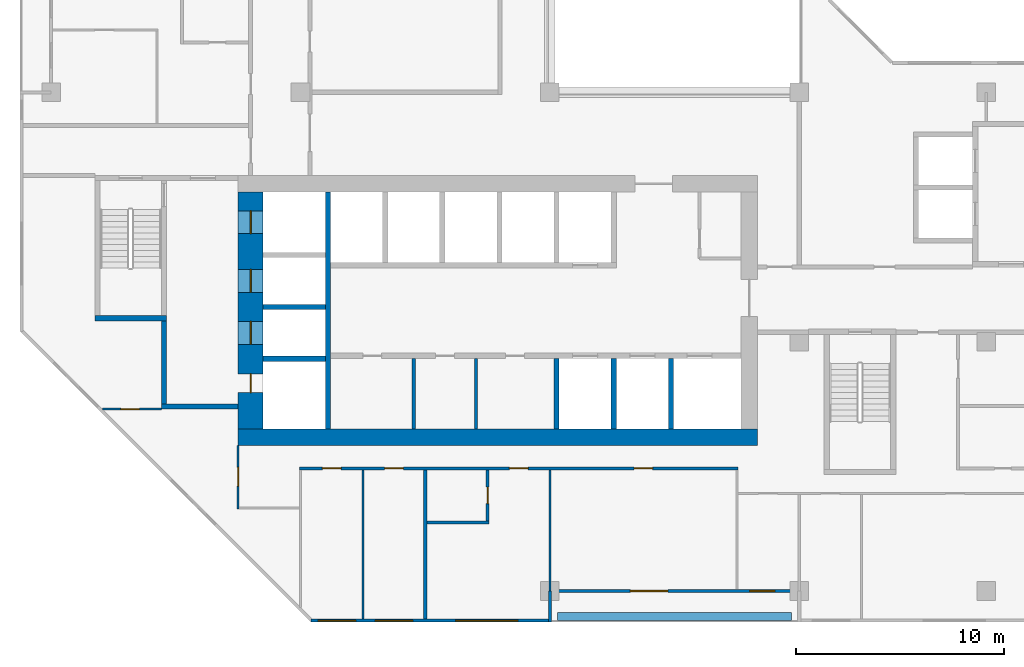
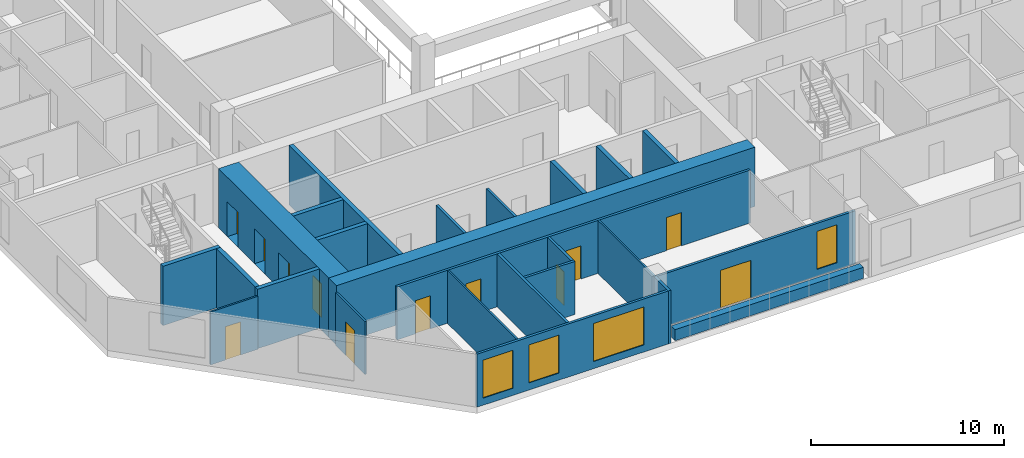
# One storey, part 4 of 15: 25 walls, 12 doors, 4 windows, 16 openings.
"""IFC4 building model written with IfcOpenShell, lengths in metres."""

from ifc_helpers import new_model, si_unit, direction, frame, frame_2d, origin, place, context, subcontext, project, spatial, rectangle, extrude, material, layer, layer_set, type_object, element, fill, save


model = new_model("IFC4")

# Units and contexts
model_context = context("Model", 3, precision=1e-05, world=origin(), true_north=direction((0.0, 1.0)))
body_context = subcontext(model_context, "Body", "Model", "MODEL_VIEW")
ifc_project = project(units=[si_unit("LENGTHUNIT", "METRE"), si_unit("AREAUNIT", "SQUARE_METRE"), si_unit("VOLUMEUNIT", "CUBIC_METRE"), si_unit("PLANEANGLEUNIT", "RADIAN"), si_unit("MASSUNIT", "GRAM", prefix="KILO")], contexts=[model_context])

# Site, building, storey
site_placement = place(None, origin())
site = spatial("IfcSite", under=ifc_project, at=site_placement, CompositionType="ELEMENT")
building_placement = place(site_placement, origin())
building = spatial("IfcBuilding", under=site, at=building_placement, Name="Chenar Terraces", CompositionType="ELEMENT")
storey_placement = place(building_placement, frame((0.0, 0.0, 176.14990234375)))
storey = spatial("IfcBuildingStorey", under=building, at=storey_placement, Name="L40", CompositionType="ELEMENT", Elevation=176.14990234375)

# Walls
ifc_material_1 = material(Name="Gypsum board on steel studs", Category="steel")
ifc_layer_1 = layer(ifc_material_1, 0.14990234375)
ifc_layer_set_1 = layer_set([ifc_layer_1], Name="Gypsum board on steel studs")
wall_type_1 = type_object("IfcWallType", Name="Core partition 150 gypsum board", PredefinedType="PARTITIONING", material=ifc_layer_set_1)
for number, where, z_axis, x_axis, name in (
    (1, (17.449951171875, 7.800048828125, 0.0), (0.0, 0.0, 1.0), (0.0, 1.0, 0.0), "Core partition CP1 freed bay wall"),
    (2, (20.449951171875, 7.800048828125, 0.0), (0.0, 0.0, 1.0), (0.0, 1.0, 0.0), "Core partition CP1 freed bay wall"),
):
    element("IfcWall", number, at=place(storey_placement, frame(where, z_axis=z_axis, x_axis=x_axis)), inside=storey, type_object=wall_type_1, Name=name, PredefinedType="PARTITIONING", context=body_context, shape_type="SweptSolid", body=[
        extrude(rectangle(XDim=3.39990234375, YDim=0.14990234375, at=frame_2d((1.699951171875, 0.0))), origin(), (0.0, 0.0, 1.0), 3.35009765625),
    ])

# Wall, openings, doors
ifc_material_2 = material(Name="Concrete C60/75", Category="concrete")
ifc_layer_2 = layer(ifc_material_2, 1.199951171875)
ifc_layer_set_2 = layer_set([ifc_layer_2], Name="Concrete C60/75")
wall_type_2 = type_object("IfcWallType", Name="Core wall 1200 Concrete C60/75", PredefinedType="SHEAR", material=ifc_layer_set_2)
wall_1_placement = place(storey_placement, frame((9.60009765625, 7.800048828125, 0.0), z_axis=(0.0, 0.0, 1.0), x_axis=(0.0, 1.0, 0.0)))
wall_1 = element("IfcWall", 3, at=wall_1_placement, inside=storey, type_object=wall_type_2, Name="Core wall W L40", PredefinedType="SHEAR", context=body_context, shape_type="SweptSolid", body=[
    extrude(rectangle(XDim=11.39990234375, YDim=1.199951171875, at=frame_2d((5.699951171875, 0.0))), origin(), (0.0, 0.0, 1.0), 3.75),
])
opening_1_placement = place(wall_1_placement, frame((4.074951171875, 0.0, 0.0)))
opening_1 = element("IfcOpeningElement", 4, at=opening_1_placement, cuts=wall_1, Name="Opening DL40-LD5", PredefinedType="OPENING", context=body_context, shape_type="SweptSolid", body=[
    extrude(rectangle(XDim=1.10009765625, YDim=2.199951171875, at=frame_2d((0.550048828125, 1.10009765625))), frame((0.0, 0.60986328125, 0.0), z_axis=(0.0, -1.0, 0.0), x_axis=(1.0, 0.0, 0.0)), (0.0, 0.0, 1.0), 1.219970703125),
])
opening_2_placement = place(wall_1_placement, frame((6.574951171875, 0.0, 0.0)))
opening_2 = element("IfcOpeningElement", 5, at=opening_2_placement, cuts=wall_1, Name="Opening DL40-LD6", PredefinedType="OPENING", context=body_context, shape_type="SweptSolid", body=[
    extrude(rectangle(XDim=1.10009765625, YDim=2.199951171875, at=frame_2d((0.550048828125, 1.10009765625))), frame((0.0, 0.60986328125, 0.0), z_axis=(0.0, -1.0, 0.0), x_axis=(1.0, 0.0, 0.0)), (0.0, 0.0, 1.0), 1.219970703125),
])
opening_3_placement = place(wall_1_placement, frame((9.39990234375, 0.0, 0.0)))
opening_3 = element("IfcOpeningElement", 6, at=opening_3_placement, cuts=wall_1, Name="Opening DL40-LD7", PredefinedType="OPENING", context=body_context, shape_type="SweptSolid", body=[
    extrude(rectangle(XDim=1.10009765625, YDim=2.199951171875, at=frame_2d((0.550048828125, 1.10009765625))), frame((0.0, 0.60986328125, 0.0), z_axis=(0.0, -1.0, 0.0), x_axis=(1.0, 0.0, 0.0)), (0.0, 0.0, 1.0), 1.219970703125),
])
opening_4_placement = place(wall_1_placement, frame((1.75, 0.0, 0.0)))
opening_4 = element("IfcOpeningElement", 7, at=opening_4_placement, cuts=wall_1, Name="Opening DL40-C4", PredefinedType="OPENING", context=body_context, shape_type="SweptSolid", body=[
    extrude(rectangle(XDim=0.89990234375, YDim=2.10009765625, at=frame_2d((0.449951171875, 1.050048828125))), frame((0.0, 0.60986328125, 0.0), z_axis=(0.0, -1.0, 0.0), x_axis=(1.0, 0.0, 0.0)), (0.0, 0.0, 1.0), 1.219970703125),
])
ifc_material_3 = material(Name="Stainless steel", Category="steel")
door_type_1 = type_object("IfcDoorType", Name="Lift landing door 1100 x 2200 sliding", OperationType="DOUBLE_DOOR_SLIDING", PredefinedType="DOOR", material=ifc_material_3)
door_1_placement = place(opening_1_placement, origin())
door_1 = element("IfcDoor", 8, at=door_1_placement, inside=storey, type_object=door_type_1, Name="Landing door S1", OperationType="DOUBLE_DOOR_SLIDING", OverallHeight=2.199951171875, OverallWidth=1.10009765625, PredefinedType="DOOR", context=body_context, shape_type="SweptSolid", body=[
    extrude(rectangle(XDim=1.10009765625, YDim=2.199951171875, at=frame_2d((0.550048828125, 1.10009765625))), frame((0.0, 0.02490234375, 0.0), z_axis=(0.0, -1.0, 0.0), x_axis=(1.0, 0.0, 0.0)), (0.0, 0.0, 1.0), 0.050048828125),
])
fill(opening_1, door_1)
door_2_placement = place(opening_2_placement, origin())
door_2 = element("IfcDoor", 9, at=door_2_placement, inside=storey, type_object=door_type_1, Name="Landing door F1", OperationType="DOUBLE_DOOR_SLIDING", OverallHeight=2.199951171875, OverallWidth=1.10009765625, PredefinedType="DOOR", context=body_context, shape_type="SweptSolid", body=[
    extrude(rectangle(XDim=1.10009765625, YDim=2.199951171875, at=frame_2d((0.550048828125, 1.10009765625))), frame((0.0, 0.02490234375, 0.0), z_axis=(0.0, -1.0, 0.0), x_axis=(1.0, 0.0, 0.0)), (0.0, 0.0, 1.0), 0.050048828125),
])
fill(opening_2, door_2)
door_3_placement = place(opening_3_placement, origin())
door_3 = element("IfcDoor", 10, at=door_3_placement, inside=storey, type_object=door_type_1, Name="Landing door F2", OperationType="DOUBLE_DOOR_SLIDING", OverallHeight=2.199951171875, OverallWidth=1.10009765625, PredefinedType="DOOR", context=body_context, shape_type="SweptSolid", body=[
    extrude(rectangle(XDim=1.10009765625, YDim=2.199951171875, at=frame_2d((0.550048828125, 1.10009765625))), frame((0.0, 0.02490234375, 0.0), z_axis=(0.0, -1.0, 0.0), x_axis=(1.0, 0.0, 0.0)), (0.0, 0.0, 1.0), 0.050048828125),
])
fill(opening_3, door_3)
ifc_material_4 = material(Name="Steel-framed fire-resisting door leaf", Category="steel")
door_type_2 = type_object("IfcDoorType", Name="Riser fire door FD60 900 x 2100", OperationType="SINGLE_SWING_LEFT", PredefinedType="DOOR", material=ifc_material_4)
door_4_placement = place(opening_4_placement, frame((0.89990234375, 0.0, 0.0), z_axis=(0.0, 0.0, 1.0), x_axis=(-1.0, 0.0, 0.0)))
door_4 = element("IfcDoor", 11, at=door_4_placement, inside=storey, type_object=door_type_2, Name="Riser door DL40-C4", OperationType="SINGLE_SWING_LEFT", OverallHeight=2.10009765625, OverallWidth=0.89990234375, PredefinedType="DOOR", context=body_context, shape_type="SweptSolid", body=[
    extrude(rectangle(XDim=0.89990234375, YDim=2.10009765625, at=frame_2d((0.449951171875, 1.050048828125))), frame((0.0, 0.02490234375, 0.0), z_axis=(0.0, -1.0, 0.0), x_axis=(1.0, 0.0, 0.0)), (0.0, 0.0, 1.0), 0.050048828125),
])
fill(opening_4, door_4)

# Walls
ifc_material_5 = material(Name="Concrete C60/75", Category="concrete")
ifc_layer_3 = layer(ifc_material_5, 0.25)
ifc_layer_set_3 = layer_set([ifc_layer_3], Name="Concrete C60/75")
wall_type_3 = type_object("IfcWallType", Name="Core wall 250 Concrete C60/75", PredefinedType="SHEAR", material=ifc_layer_set_3)
wall_2_placement = place(storey_placement, frame((13.324951171875, 7.800048828125, 0.0), z_axis=(0.0, 0.0, 1.0), x_axis=(0.0, 1.0, 0.0)))
element("IfcWall", 12, at=wall_2_placement, inside=storey, type_object=wall_type_3, Name="Core wall WI L40", PredefinedType="SHEAR", context=body_context, shape_type="SweptSolid", body=[
    extrude(rectangle(XDim=11.39990234375, YDim=0.25, at=frame_2d((5.699951171875, 0.0))), origin(), (0.0, 0.0, 1.0), 3.75),
])
for number, where, z_axis, x_axis, name in (
    (13, (10.199951171875, 11.175048828125, 0.0), (0.0, 0.0, 1.0), (1.0, 0.0, 0.0), "Core wall HW0 L40"),
    (14, (10.199951171875, 13.675048828125, 0.0), (0.0, 0.0, 1.0), (1.0, 0.0, 0.0), "Core wall HW1 L40"),
):
    element("IfcWall", number, at=place(storey_placement, frame(where, z_axis=z_axis, x_axis=x_axis)), inside=storey, type_object=wall_type_3, Name=name, PredefinedType="SHEAR", context=body_context, shape_type="SweptSolid", body=[
        extrude(rectangle(XDim=3.0, YDim=0.25, at=frame_2d((1.5, 0.0))), origin(), (0.0, 0.0, 1.0), 3.75),
    ])
for number, where, z_axis, x_axis, name in (
    (15, (24.324951171875, 7.800048828125, 0.0), (0.0, 0.0, 1.0), (0.0, 1.0, 0.0), "Core wall SS3 L40"),
    (16, (27.074951171875, 7.800048828125, 0.0), (0.0, 0.0, 1.0), (0.0, 1.0, 0.0), "Core wall SS4 L40"),
    (17, (29.824951171875, 7.800048828125, 0.0), (0.0, 0.0, 1.0), (0.0, 1.0, 0.0), "Core wall SS5 L40"),
):
    element("IfcWall", number, at=place(storey_placement, frame(where, z_axis=z_axis, x_axis=x_axis)), inside=storey, type_object=wall_type_3, Name=name, PredefinedType="SHEAR", context=body_context, shape_type="SweptSolid", body=[
        extrude(rectangle(XDim=3.39990234375, YDim=0.25, at=frame_2d((1.699951171875, 0.0))), origin(), (0.0, 0.0, 1.0), 3.75),
    ])
wall_3_placement = place(storey_placement, frame((2.10009765625, 13.125, 0.0), z_axis=(0.0, 0.0, 1.0), x_axis=(1.0, 0.0, 0.0)))
element("IfcWall", 18, at=wall_3_placement, inside=storey, type_object=wall_type_3, Name="Core wall ST1_S L40", PredefinedType="SHEAR", context=body_context, shape_type="SweptSolid", body=[
    extrude(rectangle(XDim=3.449951171875, YDim=0.25, at=frame_2d((1.72509765625, 0.0))), origin(), (0.0, 0.0, 1.0), 3.75),
])
wall_4_placement = place(storey_placement, frame((5.300048828125, 8.875, 0.0), z_axis=(0.0, 0.0, 1.0), x_axis=(1.0, 0.0, 0.0)))
element("IfcWall", 19, at=wall_4_placement, inside=storey, type_object=wall_type_3, Name="Core wall FFL_S L40", PredefinedType="SHEAR", context=body_context, shape_type="SweptSolid", body=[
    extrude(rectangle(XDim=3.699951171875, YDim=0.25, at=frame_2d((1.85009765625, 0.0))), origin(), (0.0, 0.0, 1.0), 3.75),
])
wall_5_placement = place(storey_placement, frame((5.425048828125, 9.0, 0.0), z_axis=(0.0, 0.0, 1.0), x_axis=(0.0, 1.0, 0.0)))
element("IfcWall", 20, at=wall_5_placement, inside=storey, type_object=wall_type_3, Name="Core wall FFL_W L40", PredefinedType="SHEAR", context=body_context, shape_type="SweptSolid", body=[
    extrude(rectangle(XDim=4.0, YDim=0.25, at=frame_2d((2.0, 0.0))), origin(), (0.0, 0.0, 1.0), 3.75),
])
ifc_material_6 = material(Name="Concrete C60/75", Category="concrete")
ifc_layer_4 = layer(ifc_material_6, 0.800048828125)
ifc_layer_set_4 = layer_set([ifc_layer_4], Name="Concrete C60/75")
wall_type_4 = type_object("IfcWallType", Name="Core wall 800 Concrete C60/75", PredefinedType="SHEAR", material=ifc_layer_set_4)
wall_6_placement = place(storey_placement, frame((9.0, 7.39990234375, 0.0), z_axis=(0.0, 0.0, 1.0), x_axis=(1.0, 0.0, 0.0)))
element("IfcWall", 21, at=wall_6_placement, inside=storey, type_object=wall_type_4, Name="Core wall S L40", PredefinedType="SHEAR", context=body_context, shape_type="SweptSolid", body=[
    extrude(rectangle(XDim=25.0, YDim=0.800048828125, at=frame_2d((12.5, 0.0))), origin(), (0.0, 0.0, 1.0), 3.75),
])

# Wall, openings, windows
ifc_material_7 = material(Name="Aluminium framed glazing", Category="aluminium")
ifc_layer_5 = layer(ifc_material_7, 0.14990234375)
ifc_layer_set_5 = layer_set([ifc_layer_5], Name="Aluminium framed glazing")
wall_type_5 = type_object("IfcWallType", Name="Glazed flush facade wall 150", PredefinedType="SOLIDWALL", material=ifc_layer_set_5)
wall_7_placement = place(storey_placement, frame((12.5, -1.425048828125, 0.0), z_axis=(0.0, 0.0, 1.0), x_axis=(1.0, 0.0, 0.0)))
wall_7 = element("IfcWall", 22, at=wall_7_placement, inside=storey, type_object=wall_type_5, Name="Glazed flush facade wall", PredefinedType="SOLIDWALL", context=body_context, shape_type="SweptSolid", body=[
    extrude(rectangle(XDim=11.425048828125, YDim=0.14990234375, at=frame_2d((5.71240234375, 0.0))), origin(), (0.0, 0.0, 1.0), 3.35009765625),
])
opening_5_placement = place(wall_7_placement, frame((0.35009765625, 0.0, 0.449951171875)))
opening_5 = element("IfcOpeningElement", 23, at=opening_5_placement, cuts=wall_7, Name="Opening W180x240", PredefinedType="OPENING", context=body_context, shape_type="SweptSolid", body=[
    extrude(rectangle(XDim=1.800048828125, YDim=2.39990234375, at=frame_2d((0.89990234375, 1.199951171875))), frame((0.0, 0.0849609375, 0.0), z_axis=(0.0, -1.0, 0.0), x_axis=(1.0, 0.0, 0.0)), (0.0, 0.0, 1.0), 0.169921875),
])
opening_6_placement = place(wall_7_placement, frame((3.10009765625, 0.0, 0.449951171875)))
opening_6 = element("IfcOpeningElement", 24, at=opening_6_placement, cuts=wall_7, Name="Opening W180x240", PredefinedType="OPENING", context=body_context, shape_type="SweptSolid", body=[
    extrude(rectangle(XDim=1.800048828125, YDim=2.39990234375, at=frame_2d((0.89990234375, 1.199951171875))), frame((0.0, 0.0849609375, 0.0), z_axis=(0.0, -1.0, 0.0), x_axis=(1.0, 0.0, 0.0)), (0.0, 0.0, 1.0), 0.169921875),
])
opening_7_placement = place(wall_7_placement, frame((6.96240234375, 0.0, 0.449951171875)))
opening_7 = element("IfcOpeningElement", 25, at=opening_7_placement, cuts=wall_7, Name="Opening W300x240", PredefinedType="OPENING", context=body_context, shape_type="SweptSolid", body=[
    extrude(rectangle(XDim=3.0, YDim=2.39990234375, at=frame_2d((1.5, 1.199951171875))), frame((0.0, 0.0849609375, 0.0), z_axis=(0.0, -1.0, 0.0), x_axis=(1.0, 0.0, 0.0)), (0.0, 0.0, 1.0), 0.169921875),
])
ifc_material_8 = material(Name="Low emissivity double glazing, aluminium frame", Category="aluminium")
window_type_1 = type_object("IfcWindowType", Name="Fixed light 1800 x 2400", PartitioningType="SINGLE_PANEL", PredefinedType="WINDOW", material=ifc_material_8)
window_1_placement = place(opening_5_placement, origin())
window_1 = element("IfcWindow", 26, at=window_1_placement, inside=storey, type_object=window_type_1, Name="Window", OverallHeight=2.39990234375, OverallWidth=1.800048828125, PartitioningType="SINGLE_PANEL", PredefinedType="WINDOW", context=body_context, shape_type="SweptSolid", body=[
    extrude(rectangle(XDim=1.800048828125, YDim=2.39990234375, at=frame_2d((0.89990234375, 1.199951171875))), frame((0.0, 0.030029296875, 0.0), z_axis=(0.0, -1.0, 0.0), x_axis=(1.0, 0.0, 0.0)), (0.0, 0.0, 1.0), 0.06005859375),
])
fill(opening_5, window_1)
window_2_placement = place(opening_6_placement, origin())
window_2 = element("IfcWindow", 27, at=window_2_placement, inside=storey, type_object=window_type_1, Name="Window", OverallHeight=2.39990234375, OverallWidth=1.800048828125, PartitioningType="SINGLE_PANEL", PredefinedType="WINDOW", context=body_context, shape_type="SweptSolid", body=[
    extrude(rectangle(XDim=1.800048828125, YDim=2.39990234375, at=frame_2d((0.89990234375, 1.199951171875))), frame((0.0, 0.030029296875, 0.0), z_axis=(0.0, -1.0, 0.0), x_axis=(1.0, 0.0, 0.0)), (0.0, 0.0, 1.0), 0.06005859375),
])
fill(opening_6, window_2)
ifc_material_9 = material(Name="Low emissivity double glazing, aluminium frame", Category="aluminium")
window_type_2 = type_object("IfcWindowType", Name="Fixed light 3000 x 2400", PartitioningType="SINGLE_PANEL", PredefinedType="WINDOW", material=ifc_material_9)
window_3_placement = place(opening_7_placement, origin())
window_3 = element("IfcWindow", 28, at=window_3_placement, inside=storey, type_object=window_type_2, Name="Window", OverallHeight=2.39990234375, OverallWidth=3.0, PartitioningType="SINGLE_PANEL", PredefinedType="WINDOW", context=body_context, shape_type="SweptSolid", body=[
    extrude(rectangle(XDim=3.0, YDim=2.39990234375, at=frame_2d((1.5, 1.199951171875))), frame((0.0, 0.030029296875, 0.0), z_axis=(0.0, -1.0, 0.0), x_axis=(1.0, 0.0, 0.0)), (0.0, 0.0, 1.0), 0.06005859375),
])
fill(opening_7, window_3)

# Wall, openings, window, door
ifc_material_10 = material(Name="Aluminium framed glazing", Category="aluminium")
ifc_layer_6 = layer(ifc_material_10, 0.14990234375)
ifc_layer_set_6 = layer_set([ifc_layer_6], Name="Aluminium framed glazing")
wall_type_6 = type_object("IfcWallType", Name="Glazed loggia back wall 150", PredefinedType="SOLIDWALL", material=ifc_layer_set_6)
wall_8_placement = place(storey_placement, frame((24.074951171875, 0.0, 0.0), z_axis=(0.0, 0.0, 1.0), x_axis=(1.0, 0.0, 0.0)))
wall_8 = element("IfcWall", 29, at=wall_8_placement, inside=storey, type_object=wall_type_6, Name="Glazed loggia back wall", PredefinedType="SOLIDWALL", context=body_context, shape_type="SweptSolid", body=[
    extrude(rectangle(XDim=11.85009765625, YDim=0.14990234375, at=frame_2d((5.925048828125, 0.0))), origin(), (0.0, 0.0, 1.0), 3.35009765625),
])
opening_8_placement = place(wall_8_placement, frame((3.800048828125, 0.0, 0.0)))
opening_8 = element("IfcOpeningElement", 30, at=opening_8_placement, cuts=wall_8, Name="Opening DL40-G6", PredefinedType="OPENING", context=body_context, shape_type="SweptSolid", body=[
    extrude(rectangle(XDim=1.800048828125, YDim=2.39990234375, at=frame_2d((0.89990234375, 1.199951171875))), frame((0.0, 0.0849609375, 0.0), z_axis=(0.0, -1.0, 0.0), x_axis=(1.0, 0.0, 0.0)), (0.0, 0.0, 1.0), 0.169921875),
])
opening_9_placement = place(wall_8_placement, frame((9.550048828125, 0.0, 0.449951171875)))
opening_9 = element("IfcOpeningElement", 31, at=opening_9_placement, cuts=wall_8, Name="Opening W120x240", PredefinedType="OPENING", context=body_context, shape_type="SweptSolid", body=[
    extrude(rectangle(XDim=1.199951171875, YDim=2.39990234375, at=frame_2d((0.60009765625, 1.199951171875))), frame((0.0, 0.0849609375, 0.0), z_axis=(0.0, -1.0, 0.0), x_axis=(1.0, 0.0, 0.0)), (0.0, 0.0, 1.0), 0.169921875),
])
ifc_material_11 = material(Name="Low emissivity double glazing, aluminium frame", Category="aluminium")
window_type_3 = type_object("IfcWindowType", Name="Fixed light 1200 x 2400", PartitioningType="SINGLE_PANEL", PredefinedType="WINDOW", material=ifc_material_11)
window_4_placement = place(opening_9_placement, origin())
window_4 = element("IfcWindow", 32, at=window_4_placement, inside=storey, type_object=window_type_3, Name="Window", OverallHeight=2.39990234375, OverallWidth=1.199951171875, PartitioningType="SINGLE_PANEL", PredefinedType="WINDOW", context=body_context, shape_type="SweptSolid", body=[
    extrude(rectangle(XDim=1.199951171875, YDim=2.39990234375, at=frame_2d((0.60009765625, 1.199951171875))), frame((0.0, 0.030029296875, 0.0), z_axis=(0.0, -1.0, 0.0), x_axis=(1.0, 0.0, 0.0)), (0.0, 0.0, 1.0), 0.06005859375),
])
fill(opening_9, window_4)
ifc_material_12 = material(Name="Low emissivity double glazing, aluminium frame", Category="aluminium")
door_type_3 = type_object("IfcDoorType", Name="Loggia glazed double door 1800 x 2400", OperationType="DOUBLE_DOOR_SINGLE_SWING", PredefinedType="DOOR", material=ifc_material_12)
door_5_placement = place(opening_8_placement, frame((1.800048828125, 0.0, 0.0), z_axis=(0.0, 0.0, 1.0), x_axis=(-1.0, 0.0, 0.0)))
door_5 = element("IfcDoor", 33, at=door_5_placement, inside=storey, type_object=door_type_3, Name="Loggia glazed door", OperationType="DOUBLE_DOOR_SINGLE_SWING", OverallHeight=2.39990234375, OverallWidth=1.800048828125, PredefinedType="DOOR", context=body_context, shape_type="SweptSolid", body=[
    extrude(rectangle(XDim=1.800048828125, YDim=2.39990234375, at=frame_2d((0.89990234375, 1.199951171875))), frame((0.0, 0.02490234375, 0.0), z_axis=(0.0, -1.0, 0.0), x_axis=(1.0, 0.0, 0.0)), (0.0, 0.0, 1.0), 0.050048828125),
])
fill(opening_8, door_5)

# Wall, opening, door
ifc_material_13 = material(Name="Gypsum board on steel studs", Category="steel")
ifc_layer_7 = layer(ifc_material_13, 0.10009765625)
ifc_layer_set_7 = layer_set([ifc_layer_7], Name="Gypsum board on steel studs")
wall_type_7 = type_object("IfcWallType", Name="Gypsum partition 100", PredefinedType="PARTITIONING", material=ifc_layer_set_7)
wall_9_placement = place(storey_placement, frame((2.4609375, 8.75, 0.0), z_axis=(0.0, 0.0, 1.0), x_axis=(1.0, 0.0, 0.0)))
wall_9 = element("IfcWall", 34, at=wall_9_placement, inside=storey, type_object=wall_type_7, Name="Partition L40-013", PredefinedType="PARTITIONING", context=body_context, shape_type="SweptSolid", body=[
    extrude(rectangle(XDim=2.839111328125, YDim=0.10009765625, at=frame_2d((1.41943359375, 0.0))), origin(), (0.0, 0.0, 1.0), 3.35009765625),
])
opening_10_placement = place(wall_9_placement, frame((0.888916015625, 0.0, 0.0)))
opening_10 = element("IfcOpeningElement", 35, at=opening_10_placement, cuts=wall_9, Name="Opening DL40-50", PredefinedType="OPENING", context=body_context, shape_type="SweptSolid", body=[
    extrude(rectangle(XDim=0.89990234375, YDim=2.10009765625, at=frame_2d((0.449951171875, 1.050048828125))), frame((0.0, 0.06005859375, 0.0), z_axis=(0.0, -1.0, 0.0), x_axis=(1.0, 0.0, 0.0)), (0.0, 0.0, 1.0), 0.1201171875),
])
ifc_material_14 = material(Name="Veneered timber door leaf", Category="wood")
door_type_4 = type_object("IfcDoorType", Name="Door 900 x 2100", OperationType="SINGLE_SWING_LEFT", PredefinedType="DOOR", material=ifc_material_14)
door_6_placement = place(opening_10_placement, frame((0.89990234375, 0.0, 0.0), z_axis=(0.0, 0.0, 1.0), x_axis=(-1.0, 0.0, 0.0)))
door_6 = element("IfcDoor", 36, at=door_6_placement, inside=storey, type_object=door_type_4, Name="Door DL40-50", OperationType="SINGLE_SWING_RIGHT", OverallHeight=2.10009765625, OverallWidth=0.89990234375, PredefinedType="DOOR", context=body_context, shape_type="SweptSolid", body=[
    extrude(rectangle(XDim=0.89990234375, YDim=2.10009765625, at=frame_2d((0.449951171875, 1.050048828125))), frame((0.0, 0.02490234375, 0.0), z_axis=(0.0, -1.0, 0.0), x_axis=(1.0, 0.0, 0.0)), (0.0, 0.0, 1.0), 0.050048828125),
])
fill(opening_10, door_6)

wall_10_placement = place(storey_placement, frame((9.0, 3.949951171875, 0.0), z_axis=(0.0, 0.0, 1.0), x_axis=(0.0, 1.0, 0.0)))
wall_10 = element("IfcWall", 37, at=wall_10_placement, inside=storey, type_object=wall_type_7, Name="Partition L40-030", PredefinedType="PARTITIONING", context=body_context, shape_type="SweptSolid", body=[
    extrude(rectangle(XDim=3.050048828125, YDim=0.10009765625, at=frame_2d((1.52490234375, 0.0))), origin(), (0.0, 0.0, 1.0), 3.35009765625),
])
opening_11_placement = place(wall_10_placement, frame((1.10009765625, 0.0, 0.0)))
opening_11 = element("IfcOpeningElement", 38, at=opening_11_placement, cuts=wall_10, Name="Opening DL40-49", PredefinedType="OPENING", context=body_context, shape_type="SweptSolid", body=[
    extrude(rectangle(XDim=0.89990234375, YDim=2.10009765625, at=frame_2d((0.449951171875, 1.050048828125))), frame((0.0, 0.06005859375, 0.0), z_axis=(0.0, -1.0, 0.0), x_axis=(1.0, 0.0, 0.0)), (0.0, 0.0, 1.0), 0.1201171875),
])
door_7_placement = place(opening_11_placement, origin())
door_7 = element("IfcDoor", 39, at=door_7_placement, inside=storey, type_object=door_type_4, Name="Door DL40-49", OperationType="SINGLE_SWING_LEFT", OverallHeight=2.10009765625, OverallWidth=0.89990234375, PredefinedType="DOOR", context=body_context, shape_type="SweptSolid", body=[
    extrude(rectangle(XDim=0.89990234375, YDim=2.10009765625, at=frame_2d((0.449951171875, 1.050048828125))), frame((0.0, 0.02490234375, 0.0), z_axis=(0.0, -1.0, 0.0), x_axis=(1.0, 0.0, 0.0)), (0.0, 0.0, 1.0), 0.050048828125),
])
fill(opening_11, door_7)

# Walls
wall_11_placement = place(storey_placement, frame((15.0, -1.35107421875, 0.0), z_axis=(0.0, 0.0, 1.0), x_axis=(0.0, 1.0, 0.0)))
element("IfcWall", 40, at=wall_11_placement, inside=storey, type_object=wall_type_7, Name="Partition L40-045", PredefinedType="PARTITIONING", context=body_context, shape_type="SweptSolid", body=[
    extrude(rectangle(XDim=7.176025390625, YDim=0.10009765625, at=frame_2d((3.587890625, 0.0))), origin(), (0.0, 0.0, 1.0), 3.35009765625),
])
wall_12_placement = place(storey_placement, frame((24.0, 0.0, 0.0), z_axis=(0.0, 0.0, 1.0), x_axis=(0.0, 1.0, 0.0)))
element("IfcWall", 41, at=wall_12_placement, inside=storey, type_object=wall_type_7, Name="Partition L40-058", PredefinedType="PARTITIONING", context=body_context, shape_type="SweptSolid", body=[
    extrude(rectangle(XDim=5.824951171875, YDim=0.10009765625, at=frame_2d((2.91259765625, 0.0))), origin(), (0.0, 0.0, 1.0), 3.35009765625),
])
ifc_material_15 = material(Name="Terracotta cladding on insulated backing", Category="masonry")
ifc_layer_8 = layer(ifc_material_15, 0.14990234375)
ifc_layer_set_8 = layer_set([ifc_layer_8], Name="Terracotta cladding on insulated backing")
wall_type_8 = type_object("IfcWallType", Name="Loggia return wall 150", PredefinedType="SOLIDWALL", material=ifc_layer_set_8)
wall_13_placement = place(storey_placement, frame((24.0, -1.5, 0.0), z_axis=(0.0, 0.0, 1.0), x_axis=(0.0, 1.0, 0.0)))
element("IfcWall", 42, at=wall_13_placement, inside=storey, type_object=wall_type_8, Name="Loggia return wall", PredefinedType="SOLIDWALL", context=body_context, shape_type="SweptSolid", body=[
    extrude(rectangle(XDim=1.5, YDim=0.14990234375, at=frame_2d((0.75, 0.0))), origin(), (0.0, 0.0, 1.0), 3.35009765625),
])
ifc_material_16 = material(Name="GRP planter trough")
ifc_layer_9 = layer(ifc_material_16, 0.39990234375)
ifc_layer_set_9 = layer_set([ifc_layer_9], Name="GRP planter trough")
wall_type_9 = type_object("IfcWallType", Name="Vertical greenery planter 400", PredefinedType="SOLIDWALL", material=ifc_layer_set_9)
wall_14_placement = place(storey_placement, frame((24.375, -1.22900390625, 0.0), z_axis=(0.0, 0.0, 1.0), x_axis=(1.0, 0.0, 0.0)))
element("IfcWall", 43, at=wall_14_placement, inside=storey, type_object=wall_type_9, Name="Vertical greenery planter", PredefinedType="SOLIDWALL", context=body_context, shape_type="SweptSolid", body=[
    extrude(rectangle(XDim=11.25, YDim=0.39990234375, at=frame_2d((5.625, 0.0))), origin(), (0.0, 0.0, 1.0), 0.7001953125),
])

# Wall, openings, doors
ifc_material_17 = material(Name="Moisture-resistant gypsum board on steel studs", Category="steel")
ifc_layer_10 = layer(ifc_material_17, 0.14990234375)
ifc_layer_set_10 = layer_set([ifc_layer_10], Name="Moisture-resistant gypsum board on steel studs")
wall_type_10 = type_object("IfcWallType", Name="Wet-room partition 150", PredefinedType="PARTITIONING", material=ifc_layer_set_10)
wall_15_placement = place(storey_placement, frame((11.949951171875, 5.89990234375, 0.0), z_axis=(0.0, 0.0, 1.0), x_axis=(1.0, 0.0, 0.0)))
wall_15 = element("IfcWall", 44, at=wall_15_placement, inside=storey, type_object=wall_type_10, Name="Partition L40-033", PredefinedType="PARTITIONING", context=body_context, shape_type="SweptSolid", body=[
    extrude(rectangle(XDim=21.10009765625, YDim=0.14990234375, at=frame_2d((10.550048828125, 0.0))), origin(), (0.0, 0.0, 1.0), 3.35009765625),
])
opening_12_placement = place(wall_15_placement, frame((1.10009765625, 0.0, 0.0)))
opening_12 = element("IfcOpeningElement", 45, at=opening_12_placement, cuts=wall_15, Name="Opening DL40-45", PredefinedType="OPENING", context=body_context, shape_type="SweptSolid", body=[
    extrude(rectangle(XDim=0.89990234375, YDim=2.10009765625, at=frame_2d((0.449951171875, 1.050048828125))), frame((0.0, 0.0849609375, 0.0), z_axis=(0.0, -1.0, 0.0), x_axis=(1.0, 0.0, 0.0)), (0.0, 0.0, 1.0), 0.169921875),
])
opening_13_placement = place(wall_15_placement, frame((4.10009765625, 0.0, 0.0)))
opening_13 = element("IfcOpeningElement", 46, at=opening_13_placement, cuts=wall_15, Name="Opening DL40-46", PredefinedType="OPENING", context=body_context, shape_type="SweptSolid", body=[
    extrude(rectangle(XDim=0.89990234375, YDim=2.10009765625, at=frame_2d((0.449951171875, 1.050048828125))), frame((0.0, 0.0849609375, 0.0), z_axis=(0.0, -1.0, 0.0), x_axis=(1.0, 0.0, 0.0)), (0.0, 0.0, 1.0), 0.169921875),
])
opening_14_placement = place(wall_15_placement, frame((10.10009765625, 0.0, 0.0)))
opening_14 = element("IfcOpeningElement", 47, at=opening_14_placement, cuts=wall_15, Name="Opening DL40-51", PredefinedType="OPENING", context=body_context, shape_type="SweptSolid", body=[
    extrude(rectangle(XDim=0.89990234375, YDim=2.10009765625, at=frame_2d((0.449951171875, 1.050048828125))), frame((0.0, 0.0849609375, 0.0), z_axis=(0.0, -1.0, 0.0), x_axis=(1.0, 0.0, 0.0)), (0.0, 0.0, 1.0), 0.169921875),
])
opening_15_placement = place(wall_15_placement, frame((16.10009765625, 0.0, 0.0)))
opening_15 = element("IfcOpeningElement", 48, at=opening_15_placement, cuts=wall_15, Name="Opening DL40-55", PredefinedType="OPENING", context=body_context, shape_type="SweptSolid", body=[
    extrude(rectangle(XDim=0.89990234375, YDim=2.10009765625, at=frame_2d((0.449951171875, 1.050048828125))), frame((0.0, 0.0849609375, 0.0), z_axis=(0.0, -1.0, 0.0), x_axis=(1.0, 0.0, 0.0)), (0.0, 0.0, 1.0), 0.169921875),
])
door_8_placement = place(opening_12_placement, frame((0.89990234375, 0.0, 0.0), z_axis=(0.0, 0.0, 1.0), x_axis=(-1.0, 0.0, 0.0)))
door_8 = element("IfcDoor", 49, at=door_8_placement, inside=storey, type_object=door_type_4, Name="Door DL40-45", OperationType="SINGLE_SWING_RIGHT", OverallHeight=2.10009765625, OverallWidth=0.89990234375, PredefinedType="DOOR", context=body_context, shape_type="SweptSolid", body=[
    extrude(rectangle(XDim=0.89990234375, YDim=2.10009765625, at=frame_2d((0.449951171875, 1.050048828125))), frame((0.0, 0.02490234375, 0.0), z_axis=(0.0, -1.0, 0.0), x_axis=(1.0, 0.0, 0.0)), (0.0, 0.0, 1.0), 0.050048828125),
])
fill(opening_12, door_8)
door_9_placement = place(opening_13_placement, frame((0.89990234375, 0.0, 0.0), z_axis=(0.0, 0.0, 1.0), x_axis=(-1.0, 0.0, 0.0)))
door_9 = element("IfcDoor", 50, at=door_9_placement, inside=storey, type_object=door_type_4, Name="Door DL40-46", OperationType="SINGLE_SWING_RIGHT", OverallHeight=2.10009765625, OverallWidth=0.89990234375, PredefinedType="DOOR", context=body_context, shape_type="SweptSolid", body=[
    extrude(rectangle(XDim=0.89990234375, YDim=2.10009765625, at=frame_2d((0.449951171875, 1.050048828125))), frame((0.0, 0.02490234375, 0.0), z_axis=(0.0, -1.0, 0.0), x_axis=(1.0, 0.0, 0.0)), (0.0, 0.0, 1.0), 0.050048828125),
])
fill(opening_13, door_9)
door_10_placement = place(opening_14_placement, frame((0.89990234375, 0.0, 0.0), z_axis=(0.0, 0.0, 1.0), x_axis=(-1.0, 0.0, 0.0)))
door_10 = element("IfcDoor", 51, at=door_10_placement, inside=storey, type_object=door_type_4, Name="Door DL40-51", OperationType="SINGLE_SWING_RIGHT", OverallHeight=2.10009765625, OverallWidth=0.89990234375, PredefinedType="DOOR", context=body_context, shape_type="SweptSolid", body=[
    extrude(rectangle(XDim=0.89990234375, YDim=2.10009765625, at=frame_2d((0.449951171875, 1.050048828125))), frame((0.0, 0.02490234375, 0.0), z_axis=(0.0, -1.0, 0.0), x_axis=(1.0, 0.0, 0.0)), (0.0, 0.0, 1.0), 0.050048828125),
])
fill(opening_14, door_10)
door_11_placement = place(opening_15_placement, frame((0.89990234375, 0.0, 0.0), z_axis=(0.0, 0.0, 1.0), x_axis=(-1.0, 0.0, 0.0)))
door_11 = element("IfcDoor", 52, at=door_11_placement, inside=storey, type_object=door_type_4, Name="Door DL40-55", OperationType="SINGLE_SWING_RIGHT", OverallHeight=2.10009765625, OverallWidth=0.89990234375, PredefinedType="DOOR", context=body_context, shape_type="SweptSolid", body=[
    extrude(rectangle(XDim=0.89990234375, YDim=2.10009765625, at=frame_2d((0.449951171875, 1.050048828125))), frame((0.0, 0.02490234375, 0.0), z_axis=(0.0, -1.0, 0.0), x_axis=(1.0, 0.0, 0.0)), (0.0, 0.0, 1.0), 0.050048828125),
])
fill(opening_15, door_11)

# Walls
wall_16_placement = place(storey_placement, frame((18.0, -1.35107421875, 0.0), z_axis=(0.0, 0.0, 1.0), x_axis=(0.0, 1.0, 0.0)))
element("IfcWall", 53, at=wall_16_placement, inside=storey, type_object=wall_type_10, Name="Partition L40-050", PredefinedType="PARTITIONING", context=body_context, shape_type="SweptSolid", body=[
    extrude(rectangle(XDim=7.176025390625, YDim=0.14990234375, at=frame_2d((3.587890625, 0.0))), origin(), (0.0, 0.0, 1.0), 3.35009765625),
])
wall_17_placement = place(storey_placement, frame((18.074951171875, 3.300048828125, 0.0), z_axis=(0.0, 0.0, 1.0), x_axis=(1.0, 0.0, 0.0)))
element("IfcWall", 54, at=wall_17_placement, inside=storey, type_object=wall_type_10, Name="Partition L40-051", PredefinedType="PARTITIONING", context=body_context, shape_type="SweptSolid", body=[
    extrude(rectangle(XDim=3.0, YDim=0.14990234375, at=frame_2d((1.5, 0.0))), origin(), (0.0, 0.0, 1.0), 3.35009765625),
])

# Wall, opening, door
wall_18_placement = place(storey_placement, frame((21.0, 3.375, 0.0), z_axis=(0.0, 0.0, 1.0), x_axis=(0.0, 1.0, 0.0)))
wall_18 = element("IfcWall", 55, at=wall_18_placement, inside=storey, type_object=wall_type_10, Name="Partition L40-056", PredefinedType="PARTITIONING", context=body_context, shape_type="SweptSolid", body=[
    extrude(rectangle(XDim=2.449951171875, YDim=0.14990234375, at=frame_2d((1.22509765625, 0.0))), origin(), (0.0, 0.0, 1.0), 3.35009765625),
])
opening_16_placement = place(wall_18_placement, frame((0.824951171875, 0.0, 0.0)))
opening_16 = element("IfcOpeningElement", 56, at=opening_16_placement, cuts=wall_18, Name="Opening DL40-52", PredefinedType="OPENING", context=body_context, shape_type="SweptSolid", body=[
    extrude(rectangle(XDim=0.800048828125, YDim=2.10009765625, at=frame_2d((0.39990234375, 1.050048828125))), frame((0.0, 0.0849609375, 0.0), z_axis=(0.0, -1.0, 0.0), x_axis=(1.0, 0.0, 0.0)), (0.0, 0.0, 1.0), 0.169921875),
])
ifc_material_18 = material(Name="Veneered timber door leaf", Category="wood")
door_type_5 = type_object("IfcDoorType", Name="Door 800 x 2100", OperationType="SINGLE_SWING_LEFT", PredefinedType="DOOR", material=ifc_material_18)
door_12_placement = place(opening_16_placement, origin())
door_12 = element("IfcDoor", 57, at=door_12_placement, inside=storey, type_object=door_type_5, Name="Door DL40-52", OperationType="SINGLE_SWING_RIGHT", OverallHeight=2.10009765625, OverallWidth=0.800048828125, PredefinedType="DOOR", context=body_context, shape_type="SweptSolid", body=[
    extrude(rectangle(XDim=0.800048828125, YDim=2.10009765625, at=frame_2d((0.39990234375, 1.050048828125))), frame((0.0, 0.02490234375, 0.0), z_axis=(0.0, -1.0, 0.0), x_axis=(1.0, 0.0, 0.0)), (0.0, 0.0, 1.0), 0.050048828125),
])
fill(opening_16, door_12)

save(model, "model.ifc")
